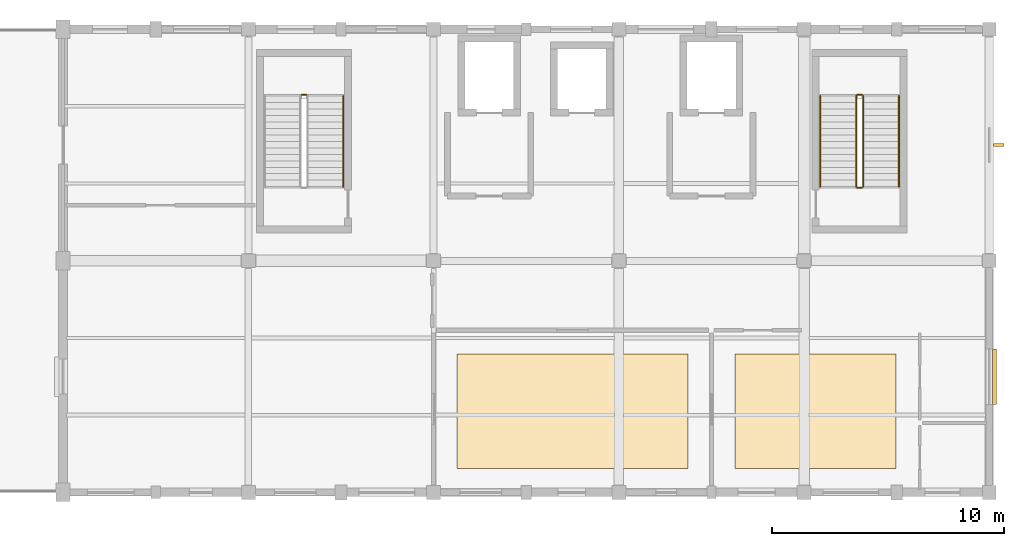
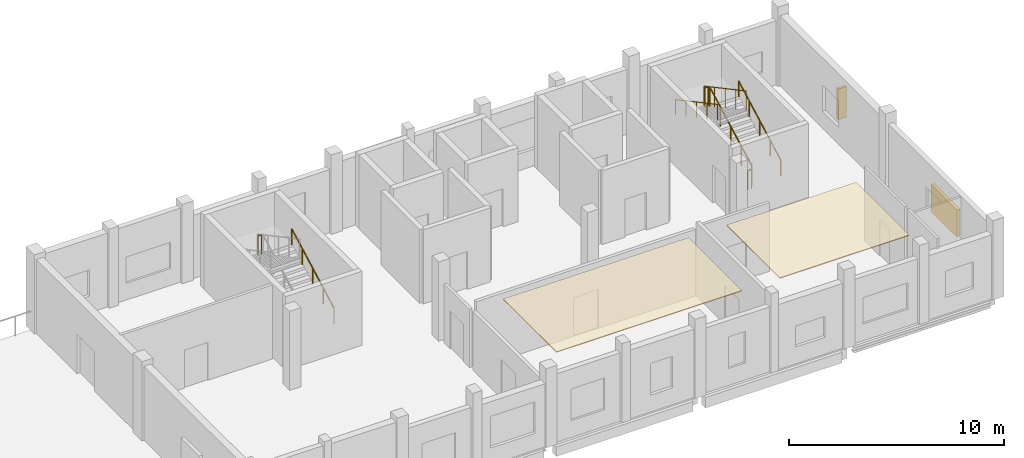
# One storey, part 6 of 6: 8 railings, 2 coverings, 2 shading devices.
"""IFC4 building model written with IfcOpenShell, lengths in metres."""

from ifc_helpers import new_model, si_unit, direction, frame, origin, origin_2d, place, context, subcontext, project, spatial, polyline, rectangle, circle, outline, extrude, material, layer, layer_set, type_object, element, save


model = new_model("IFC4")

# Units and contexts
model_context = context("Model", 3, precision=1e-05, world=origin(), true_north=direction((0.0, 1.0)))
body_context = subcontext(model_context, "Body", "Model", "MODEL_VIEW")
ifc_project = project(units=[si_unit("LENGTHUNIT", "METRE"), si_unit("AREAUNIT", "SQUARE_METRE"), si_unit("VOLUMEUNIT", "CUBIC_METRE"), si_unit("PLANEANGLEUNIT", "RADIAN"), si_unit("MASSUNIT", "GRAM", prefix="KILO")], contexts=[model_context])

# Site, building, storey
site_placement = place(None, origin())
site = spatial("IfcSite", under=ifc_project, at=site_placement, CompositionType="ELEMENT")
building_placement = place(site_placement, origin())
building = spatial("IfcBuilding", under=site, at=building_placement, Name="Luwemba Playhouse", CompositionType="ELEMENT")
storey_placement = place(building_placement, frame((0.0, 0.0, 18.300048828125)))
storey = spatial("IfcBuildingStorey", under=building, at=storey_placement, Name="L04", CompositionType="ELEMENT", Elevation=18.300048828125)

# Coverings
ifc_material_1 = material(Name="Perforated acoustic gypsum and timber baffle ceiling", Category="wood")
ifc_layer = layer(ifc_material_1, 0.044921875)
ifc_layer_set = layer_set([ifc_layer], Name="Perforated acoustic gypsum and timber baffle ceiling")
covering_type = type_object("IfcCoveringType", Name="COV-CEIL-AC", PredefinedType="CEILING", material=ifc_layer_set)
covering_1_placement = place(storey_placement, frame((0.0, 0.0, 4.155029296875)))
element("IfcCovering", 1, at=covering_1_placement, inside=storey, type_object=covering_type, Name="L04 Resident Stage and Set Design Studio acoustic ceiling cloud", PredefinedType="CEILING", context=body_context, shape_type="SweptSolid", body=[
    extrude(outline(polyline([(149.02001953125, 96.02001953125), (158.97998046875, 96.02001953125), (158.97998046875, 100.97998046875), (149.02001953125, 100.97998046875), (149.02001953125, 96.02001953125)])), origin(), (0.0, 0.0, 1.0), 0.044921875),
])
covering_2_placement = place(storey_placement, frame((0.0, 0.0, 4.155029296875)))
element("IfcCovering", 2, at=covering_2_placement, inside=storey, type_object=covering_type, Name="L04 Playwrights Workshop Seminar Room acoustic ceiling cloud", PredefinedType="CEILING", context=body_context, shape_type="SweptSolid", body=[
    extrude(outline(polyline([(161.02001953125, 96.02001953125), (167.97998046875, 96.02001953125), (167.97998046875, 100.97998046875), (161.02001953125, 100.97998046875), (161.02001953125, 96.02001953125)])), origin(), (0.0, 0.0, 1.0), 0.044921875),
])

# Railings
ifc_material_2 = material(Name="Painted wrought-iron gallery balustrade", Category="steel")
railing_type_1 = type_object("IfcRailingType", Name="RLG-BAL-INT", PredefinedType="BALUSTRADE", material=ifc_material_2)
railing_1_placement = place(storey_placement, frame((142.5, 112.169921875, 2.25)))
element("IfcRailing", 3, at=railing_1_placement, inside=storey, type_object=railing_type_1, Name="L04 ST-09 stair guard 2", PredefinedType="BALUSTRADE", context=body_context, shape_type="SweptSolid", body=[
    extrude(circle(Radius=0.02392578125, at=origin_2d()), frame((0.0, 0.0, 1.09619140625), z_axis=(-1.0, 0.0, 0.0), x_axis=(0.0, -1.0, 0.0)), (0.0, 0.0, 1.0), 0.199951171875),
    extrude(circle(Radius=0.02099609375, at=origin_2d()), origin(), (0.0, 0.0, 1.0), 1.072021484375),
    extrude(circle(Radius=0.02099609375, at=origin_2d()), frame((-0.199951171875, 0.0, 0.0)), (0.0, 0.0, 1.0), 1.072021484375),
])
railing_2_placement = place(storey_placement, frame((166.550048828125, 108.199951171875, 0.14990234375)))
element("IfcRailing", 4, at=railing_2_placement, inside=storey, type_object=railing_type_1, Name="L04 ST-10 stair guard 1", PredefinedType="BALUSTRADE", context=body_context, shape_type="SweptSolid", body=[
    extrude(circle(Radius=0.02392578125, at=origin_2d()), frame((0.0, 0.0, 1.09619140625), z_axis=(0.0, 0.881479153919, 0.472222935917), x_axis=(-1.0, 0.0, 0.0)), (0.0, 0.0, 1.0), 4.447265625),
    extrude(circle(Radius=0.02099609375, at=origin_2d()), origin(), (0.0, 0.0, 1.0), 1.072021484375),
    extrude(circle(Radius=0.02099609375, at=origin_2d()), frame((0.0, 0.97998046875, 0.52490234375)), (0.0, 0.0, 1.0), 1.072021484375),
    extrude(circle(Radius=0.02099609375, at=origin_2d()), frame((0.0, 1.9599609375, 1.050048828125)), (0.0, 0.0, 1.0), 1.072021484375),
    extrude(circle(Radius=0.02099609375, at=origin_2d()), frame((0.0, 2.940185546875, 1.5751953125)), (0.0, 0.0, 1.0), 1.072021484375),
    extrude(circle(Radius=0.02099609375, at=origin_2d()), frame((0.0, 3.920166015625, 2.10009765625)), (0.0, 0.0, 1.0), 1.072021484375),
])
railing_3_placement = place(storey_placement, frame((166.5, 112.169921875, 2.25)))
element("IfcRailing", 5, at=railing_3_placement, inside=storey, type_object=railing_type_1, Name="L04 ST-10 stair guard 2", PredefinedType="BALUSTRADE", context=body_context, shape_type="SweptSolid", body=[
    extrude(circle(Radius=0.02392578125, at=origin_2d()), frame((0.0, 0.0, 1.09619140625), z_axis=(-1.0, 0.0, 0.0), x_axis=(0.0, -1.0, 0.0)), (0.0, 0.0, 1.0), 0.199951171875),
    extrude(circle(Radius=0.02099609375, at=origin_2d()), origin(), (0.0, 0.0, 1.0), 1.072021484375),
    extrude(circle(Radius=0.02099609375, at=origin_2d()), frame((-0.199951171875, 0.0, 0.0)), (0.0, 0.0, 1.0), 1.072021484375),
])
railing_4_placement = place(storey_placement, frame((166.25, 112.1201171875, 2.39990234375)))
element("IfcRailing", 6, at=railing_4_placement, inside=storey, type_object=railing_type_1, Name="L04 ST-10 stair guard 3", PredefinedType="BALUSTRADE", context=body_context, shape_type="SweptSolid", body=[
    extrude(circle(Radius=0.02392578125, at=origin_2d()), frame((0.0, 0.0, 1.09619140625), z_axis=(0.0, -0.881479153919, 0.472222935917), x_axis=(1.0, 0.0, 0.0)), (0.0, 0.0, 1.0), 4.447265625),
    extrude(circle(Radius=0.02099609375, at=origin_2d()), origin(), (0.0, 0.0, 1.0), 1.072021484375),
    extrude(circle(Radius=0.02099609375, at=origin_2d()), frame((0.0, -0.97998046875, 0.52490234375)), (0.0, 0.0, 1.0), 1.072021484375),
    extrude(circle(Radius=0.02099609375, at=origin_2d()), frame((0.0, -1.9599609375, 1.050048828125)), (0.0, 0.0, 1.0), 1.072021484375),
    extrude(circle(Radius=0.02099609375, at=origin_2d()), frame((0.0, -2.940185546875, 1.5751953125)), (0.0, 0.0, 1.0), 1.072021484375),
    extrude(circle(Radius=0.02099609375, at=origin_2d()), frame((0.0, -3.920166015625, 2.10009765625)), (0.0, 0.0, 1.0), 1.072021484375),
])
railing_5_placement = place(storey_placement, frame((166.5, 108.14990234375, 0.0)))
element("IfcRailing", 7, at=railing_5_placement, inside=storey, type_object=railing_type_1, Name="L04 ST-10 stair guard 4", PredefinedType="BALUSTRADE", context=body_context, shape_type="SweptSolid", body=[
    extrude(circle(Radius=0.02392578125, at=origin_2d()), frame((0.0, 0.0, 1.09619140625), z_axis=(-1.0, 0.0, 0.0), x_axis=(0.0, -1.0, 0.0)), (0.0, 0.0, 1.0), 0.199951171875),
    extrude(circle(Radius=0.02099609375, at=origin_2d()), origin(), (0.0, 0.0, 1.0), 1.072021484375),
    extrude(circle(Radius=0.02099609375, at=origin_2d()), frame((-0.199951171875, 0.0, 0.0)), (0.0, 0.0, 1.0), 1.072021484375),
])
ifc_material_3 = material(Name="Hardwood and bronze handrail", Category="wood")
railing_type_2 = type_object("IfcRailingType", Name="RLG-HR-INT", PredefinedType="HANDRAIL", material=ifc_material_3)
for number, where, name in (
    (8, (144.10009765625, 108.199951171875, 0.14990234375), "L04 ST-09 stair handrail 1"),
    (9, (168.10009765625, 108.199951171875, 0.14990234375), "L04 ST-10 stair handrail 1"),
):
    element("IfcRailing", number, at=place(storey_placement, frame(where)), inside=storey, type_object=railing_type_2, Name=name, PredefinedType="HANDRAIL", context=body_context, shape_type="SweptSolid", body=[
        extrude(circle(Radius=0.02392578125, at=origin_2d()), frame((0.0, 0.0, 0.8759765625), z_axis=(0.0, 0.881479153919, 0.472222935917), x_axis=(-1.0, 0.0, 0.0)), (0.0, 0.0, 1.0), 4.447265625),
        extrude(circle(Radius=0.02099609375, at=origin_2d()), origin(), (0.0, 0.0, 1.0), 0.851806640625),
        extrude(circle(Radius=0.02099609375, at=origin_2d()), frame((0.0, 0.97998046875, 0.52490234375)), (0.0, 0.0, 1.0), 0.851806640625),
        extrude(circle(Radius=0.02099609375, at=origin_2d()), frame((0.0, 1.9599609375, 1.050048828125)), (0.0, 0.0, 1.0), 0.851806640625),
        extrude(circle(Radius=0.02099609375, at=origin_2d()), frame((0.0, 2.940185546875, 1.5751953125)), (0.0, 0.0, 1.0), 0.851806640625),
        extrude(circle(Radius=0.02099609375, at=origin_2d()), frame((0.0, 3.920166015625, 2.10009765625)), (0.0, 0.0, 1.0), 0.851806640625),
    ])
railing_6_placement = place(storey_placement, frame((164.699951171875, 112.1201171875, 2.39990234375)))
element("IfcRailing", 10, at=railing_6_placement, inside=storey, type_object=railing_type_2, Name="L04 ST-10 stair handrail 2", PredefinedType="HANDRAIL", context=body_context, shape_type="SweptSolid", body=[
    extrude(circle(Radius=0.02392578125, at=origin_2d()), frame((0.0, 0.0, 0.8759765625), z_axis=(0.0, -0.881479153919, 0.472222935917), x_axis=(1.0, 0.0, 0.0)), (0.0, 0.0, 1.0), 4.447265625),
    extrude(circle(Radius=0.02099609375, at=origin_2d()), origin(), (0.0, 0.0, 1.0), 0.851806640625),
    extrude(circle(Radius=0.02099609375, at=origin_2d()), frame((0.0, -0.97998046875, 0.52490234375)), (0.0, 0.0, 1.0), 0.851806640625),
    extrude(circle(Radius=0.02099609375, at=origin_2d()), frame((0.0, -1.9599609375, 1.050048828125)), (0.0, 0.0, 1.0), 0.851806640625),
    extrude(circle(Radius=0.02099609375, at=origin_2d()), frame((0.0, -2.940185546875, 1.5751953125)), (0.0, 0.0, 1.0), 0.851806640625),
    extrude(circle(Radius=0.02099609375, at=origin_2d()), frame((0.0, -3.920166015625, 2.10009765625)), (0.0, 0.0, 1.0), 0.851806640625),
])

# Shading devices
ifc_material_4 = material(Name="Extruded terracotta brise-soleil fin on steel bracket", Category="masonry")
shading_device_type_1 = type_object("IfcShadingDeviceType", Name="SHD-BRISE", PredefinedType="USERDEFINED", material=ifc_material_4)
shading_device_1_placement = place(storey_placement, frame((172.409912109375, 110.0, 0.824951171875), z_axis=(0.0, 0.0, 1.0), x_axis=(0.0, -1.0, 0.0)))
element("IfcShadingDevice", 11, at=shading_device_1_placement, inside=storey, type_object=shading_device_type_1, Name="L04 terracotta brise-soleil fin 081", ObjectType="TERRACOTTA BRISE SOLEIL", PredefinedType="USERDEFINED", context=body_context, shape_type="SweptSolid", body=[
    extrude(rectangle(XDim=0.139892578125, YDim=0.449951171875, at=origin_2d()), origin(), (0.0, 0.0, 1.0), 1.75),
])
ifc_material_5 = material(Name="Kiln-fired terracotta gelosia louvre screen", Category="masonry")
shading_device_type_2 = type_object("IfcShadingDeviceType", Name="SHD-GELOSIA", PredefinedType="JALOUSIE", material=ifc_material_5)
shading_device_2_placement = place(storey_placement, frame((172.22509765625, 100.0, 0.9248046875), z_axis=(0.0, 0.0, 1.0), x_axis=(0.0, -1.0, 0.0)))
element("IfcShadingDevice", 12, at=shading_device_2_placement, inside=storey, type_object=shading_device_type_2, Name="L04 fired-clay gelosia screen 082", PredefinedType="JALOUSIE", context=body_context, shape_type="SweptSolid", body=[
    extrude(rectangle(XDim=2.39990234375, YDim=0.179931640625, at=origin_2d()), origin(), (0.0, 0.0, 1.0), 1.550048828125),
])

save(model, "model.ifc")
